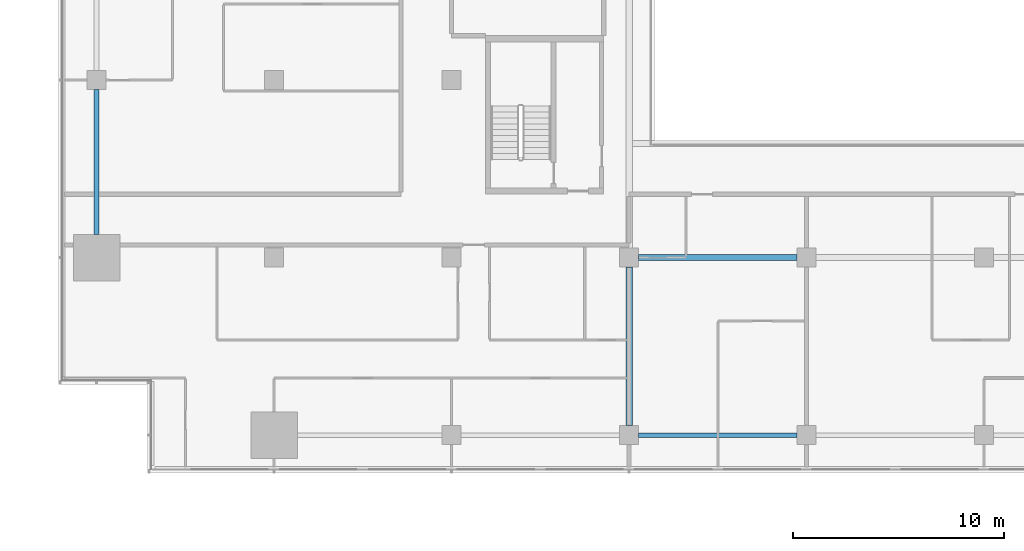
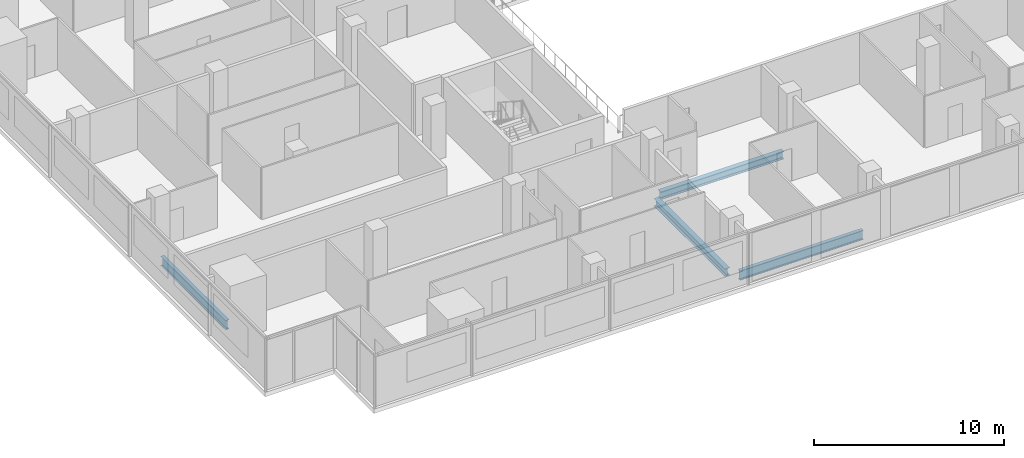
# One storey, part 3 of 30: 4 beams.
"""IFC4 building model written with IfcOpenShell, lengths in metres."""

import ifcopenshell
import ifcopenshell.guid

model = None  # the IFC model being written
_history = None  # IfcOwnerHistory: only IFC2X3 demands one
_inside = {}  # id of a spatial element -> (the spatial element, [elements in it])
_under = {}  # id of a project, library or spatial element -> (it, [spatial elements below it])
_declared = {}  # id of a project -> (the project, [libraries it declares])
_typed = {}  # id of a type object -> (the type object, [elements of that type])
_made_of = {}  # id of a material, layer set ... -> (it, [elements and type objects made of it])


def new_model(schema):
    """Start an empty IFC model of exactly this schema.

    Asked for "IFC4X3", IfcOpenShell would pick the latest addendum, in which some entities
    have other attributes; the version numbers below select the first issue.
    IFC2X3 requires an IfcOwnerHistory on every rooted entity: one is made here for all.
    """
    global model, _history
    if schema == "IFC4X3":
        model = ifcopenshell.file(schema_version=(4, 3, 0, 0))
    else:
        model = ifcopenshell.file(schema=schema)
    _inside.clear()
    _under.clear()
    _declared.clear()
    _typed.clear()
    _made_of.clear()
    _history = None
    if model.schema == "IFC2X3":
        org = make("IfcOrganization", Name="unknown")
        user = make(
            "IfcPersonAndOrganization",
            ThePerson=make("IfcPerson", FamilyName="unknown"),
            TheOrganization=org,
        )
        app = make(
            "IfcApplication",
            ApplicationDeveloper=org,
            Version="unknown",
            ApplicationFullName="unknown",
            ApplicationIdentifier="unknown",
        )
        _history = make(
            "IfcOwnerHistory",
            OwningUser=user,
            OwningApplication=app,
            ChangeAction="ADDED",
            CreationDate=0,
        )
    return model


def make(cls, **values):
    """One entity of the class cls with the attributes given. An attribute that is None is left unset."""
    return model.create_entity(
        cls, **{name: value for name, value in values.items() if value is not None}
    )


def rooted(cls, **values):
    """An entity with a GlobalId (a new one), such as an element, a storey or a relation."""
    return make(cls, GlobalId=ifcopenshell.guid.new(), OwnerHistory=_history, **values)


def si_unit(unit_type, name, prefix=None):
    """IfcSIUnit, for example si_unit("LENGTHUNIT", "METRE", prefix="MILLI")."""
    return make("IfcSIUnit", UnitType=unit_type, Prefix=prefix, Name=name)


def assignment(units):
    """IfcUnitAssignment: the units of a project."""
    return None if units is None else make("IfcUnitAssignment", Units=units)


def point(xyz):
    """IfcCartesianPoint."""
    return None if xyz is None else make("IfcCartesianPoint", Coordinates=xyz)


def direction(xyz):
    """IfcDirection."""
    return None if xyz is None else make("IfcDirection", DirectionRatios=xyz)


def frame(location, z_axis=None, x_axis=None):
    """IfcAxis2Placement3D, a coordinate frame: its origin and axes. An axis left out is left unset."""
    return make(
        "IfcAxis2Placement3D",
        Location=point(location),
        Axis=direction(z_axis),
        RefDirection=direction(x_axis),
    )


def frame_2d(location, x_axis=None):
    """IfcAxis2Placement2D, a coordinate frame in the plane: its origin and x axis."""
    return make(
        "IfcAxis2Placement2D", Location=point(location), RefDirection=direction(x_axis)
    )


def origin():
    """The frame at (0, 0, 0) with its axes left unset."""
    return frame((0.0, 0.0, 0.0))


def origin_2d():
    """The frame at (0, 0) in the plane with its x axis left unset."""
    return frame_2d((0.0, 0.0))


def place(relative_to, where):
    """IfcLocalPlacement: puts the frame where relative to a parent placement (None: the world)."""
    return make(
        "IfcLocalPlacement", PlacementRelTo=relative_to, RelativePlacement=where
    )


def context(
    kind, dimensions, precision=None, world=None, true_north=None, identifier=None
):
    """IfcGeometricRepresentationContext, for example the 3D "Model" context."""
    return make(
        "IfcGeometricRepresentationContext",
        ContextIdentifier=identifier,
        ContextType=kind,
        CoordinateSpaceDimension=dimensions,
        Precision=precision,
        WorldCoordinateSystem=world,
        TrueNorth=true_north,
    )


def subcontext(parent, identifier, kind, view, scale=None):
    """IfcGeometricRepresentationSubContext, for example "Body" below "Model"."""
    return make(
        "IfcGeometricRepresentationSubContext",
        ContextIdentifier=identifier,
        ContextType=kind,
        ParentContext=parent,
        TargetScale=scale,
        TargetView=view,
    )


def project(units=None, contexts=None):
    """IfcProject with its units and contexts."""
    return rooted(
        "IfcProject",
        Name="project",
        RepresentationContexts=contexts,
        UnitsInContext=assignment(units),
    )


def spatial(cls, under=None, at=None, **own):
    """A site, building, storey or space (cls), placed at a placement, below another one or the project."""
    s = rooted(cls, ObjectPlacement=at, **own)
    if under is not None:
        _under.setdefault(under.id(), (under, []))[1].append(s)
    return s


def profile(cls, at=None, kind="AREA", **sizes):
    """A parametric profile (cls). Its sizes go by their IFC names, for example OverallWidth=200.0."""
    return make(cls, ProfileType=kind, Position=at, **sizes)


def i_section(**sizes):
    """IfcIShapeProfileDef."""
    return profile("IfcIShapeProfileDef", **sizes)


def extrude(swept, where, along, depth):
    """IfcExtrudedAreaSolid: the profile swept, set in the frame where, extruded along a direction by depth."""
    return make(
        "IfcExtrudedAreaSolid",
        SweptArea=swept,
        Position=where,
        ExtrudedDirection=direction(along),
        Depth=depth,
    )


def shape(context_of_items, identifier, shape_type, items):
    """IfcShapeRepresentation: the items that make up one representation, for example the "Body"."""
    return make(
        "IfcShapeRepresentation",
        ContextOfItems=context_of_items,
        RepresentationIdentifier=identifier,
        RepresentationType=shape_type,
        Items=items,
    )


def material(Name=None, Category=None):
    """IfcMaterial."""
    return make("IfcMaterial", Name=Name, Category=Category)


def material_profile(
    of_material, cross_section, Name=None, Category=None, Priority=None
):
    """IfcMaterialProfile: a cross section and its material."""
    return make(
        "IfcMaterialProfile",
        Name=Name,
        Material=of_material,
        Profile=cross_section,
        Priority=Priority,
        Category=Category,
    )


def profile_set(profiles, Name=None, composite=None):
    """IfcMaterialProfileSet."""
    return make(
        "IfcMaterialProfileSet",
        Name=Name,
        MaterialProfiles=profiles,
        CompositeProfile=composite,
    )


def made_of(thing, what):
    """Note that an element or type object is made of a material, layer set ...; save() writes the relation."""
    if what is not None:
        _made_of.setdefault(what.id(), (what, []))[1].append(thing)
    return thing


def type_object(cls, material=None, **own):
    """A type object (cls), such as IfcWallType, which elements share."""
    return made_of(rooted(cls, **own), material)


def element(
    cls,
    number,
    at=None,
    inside=None,
    cuts=None,
    type_object=None,
    material=None,
    context=None,
    identifier="Body",
    shape_type=None,
    held_by="IfcProductDefinitionShape",
    body=None,
    shapes=None,
    **own,
):
    """One element of the class cls, such as IfcWall. Its Tag is "e" and its number.

    at: its placement. inside: the storey or other place that contains it. cuts: it is an
    opening in that element (IfcRelVoidsElement). A single representation is given by context,
    identifier, shape_type and body (its items); several are given by shapes. held_by: the class
    of the entity that holds the representations. save() writes the other relations.
    """
    e = rooted(cls, Tag="e%d" % number, ObjectPlacement=at, **own)
    if body is not None:
        shapes = [shape(context, identifier, shape_type, body)]
    if shapes is not None:
        e.Representation = make(held_by, Representations=shapes)
    if inside is not None:
        _inside.setdefault(inside.id(), (inside, []))[1].append(e)
    if cuts is not None:
        rooted(
            "IfcRelVoidsElement", RelatingBuildingElement=cuts, RelatedOpeningElement=e
        )
    if type_object is not None:
        _typed.setdefault(type_object.id(), (type_object, []))[1].append(e)
    return made_of(e, material)


def aggregate(whole, parts):
    """IfcRelAggregates: a whole, such as a stair, and the parts it consists of."""
    return rooted("IfcRelAggregates", RelatingObject=whole, RelatedObjects=parts)


def save(model, path):
    """Write the relations noted so far, then the file.

    IfcRelAggregates (storeys below a building ...), IfcRelContainedInSpatialStructure (elements
    in a storey), IfcRelDefinesByType, IfcRelAssociatesMaterial and IfcRelDeclares: one each for
    every whole, place, type object, material and project.
    """
    for whole, parts in _under.values():
        aggregate(whole, parts)
    for where, things in _inside.values():
        rooted(
            "IfcRelContainedInSpatialStructure",
            RelatedElements=things,
            RelatingStructure=where,
        )
    for kind, things in _typed.values():
        rooted("IfcRelDefinesByType", RelatedObjects=things, RelatingType=kind)
    for what, things in _made_of.values():
        rooted("IfcRelAssociatesMaterial", RelatedObjects=things, RelatingMaterial=what)
    for by, libraries in _declared.values():
        rooted("IfcRelDeclares", RelatingContext=by, RelatedDefinitions=libraries)
    model.write(path)


model = new_model("IFC4")

# Units and contexts
model_context = context("Model", 3, precision=1e-05, world=origin(), true_north=direction((0.0, 1.0)))
body_context = subcontext(model_context, "Body", "Model", "MODEL_VIEW")
ifc_project = project(units=[si_unit("LENGTHUNIT", "METRE"), si_unit("AREAUNIT", "SQUARE_METRE"), si_unit("VOLUMEUNIT", "CUBIC_METRE"), si_unit("PLANEANGLEUNIT", "RADIAN"), si_unit("MASSUNIT", "GRAM", prefix="KILO")], contexts=[model_context])

# Site, building, storey
site_placement = place(None, origin())
site = spatial("IfcSite", under=ifc_project, at=site_placement, CompositionType="ELEMENT")
building_placement = place(site_placement, origin())
building = spatial("IfcBuilding", under=site, at=building_placement, Name="Saffron Gate Tower", CompositionType="ELEMENT")
storey_placement = place(building_placement, frame((0.0, 0.0, 69.60009765625)))
storey = spatial("IfcBuildingStorey", under=building, at=storey_placement, Name="L16", CompositionType="ELEMENT", Elevation=69.60009765625)

# Beams
ifc_material = material(Name="Structural steel S355", Category="steel")
ifc_material_profile_1 = material_profile(ifc_material, i_section(OverallWidth=0.219970703125, OverallDepth=0.60009765625, WebThickness=0.011962890625, FlangeThickness=0.01904296875, FilletRadius=0.02392578125, at=origin_2d()))
ifc_profile_set_1 = profile_set([ifc_material_profile_1], Name="Structural steel S355")
beam_type_1 = type_object("IfcBeamType", Name="B16 IPE 600", PredefinedType="SPANDREL", material=ifc_profile_set_1)
beam_1_placement = place(storey_placement, frame((49.800048828125, 41.300048828125, -0.580078125), z_axis=(0.0, 1.0, 0.0), x_axis=(-1.0, 0.0, 0.0)))
element("IfcBeam", 1, at=beam_1_placement, inside=storey, type_object=beam_type_1, Name="B16 SPANDREL BEAM", PredefinedType="SPANDREL", context=body_context, shape_type="SweptSolid", body=[
    extrude(i_section(OverallWidth=0.219970703125, OverallDepth=0.60009765625, WebThickness=0.011962890625, FlangeThickness=0.01904296875, FilletRadius=0.02392578125, at=origin_2d()), origin(), (0.0, 0.0, 1.0), 6.849853515625),
])
beam_2_placement = place(storey_placement, frame((75.449951171875, 31.800048828125, -0.580078125), z_axis=(1.0, 0.0, 0.0), x_axis=(0.0, 1.0, 0.0)))
element("IfcBeam", 2, at=beam_2_placement, inside=storey, type_object=beam_type_1, Name="B16 SPANDREL BEAM", PredefinedType="SPANDREL", context=body_context, shape_type="SweptSolid", body=[
    extrude(i_section(OverallWidth=0.219970703125, OverallDepth=0.60009765625, WebThickness=0.011962890625, FlangeThickness=0.01904296875, FilletRadius=0.02392578125, at=origin_2d()), origin(), (0.0, 0.0, 1.0), 7.5),
])
ifc_material_profile_2 = material_profile(ifc_material, i_section(OverallWidth=0.300048828125, OverallDepth=0.489990234375, WebThickness=0.011962890625, FlangeThickness=0.02294921875, FilletRadius=0.027099609375, at=origin_2d()))
ifc_profile_set_2 = profile_set([ifc_material_profile_2], Name="Structural steel S355")
beam_type_2 = type_object("IfcBeamType", Name="B8 HEA 500", PredefinedType="BEAM", material=ifc_profile_set_2)
for number, where, z_axis, x_axis, name in (
    (3, (75.0, 32.25, -0.525146484375), (0.0, 1.0, 0.0), (-1.0, 0.0, 0.0), "B8 FLOOR GIRDER"),
    (4, (75.449951171875, 40.199951171875, -0.525146484375), (1.0, 0.0, 0.0), (0.0, 1.0, 0.0), "B8 FLOOR GIRDER"),
):
    element("IfcBeam", number, at=place(storey_placement, frame(where, z_axis=z_axis, x_axis=x_axis)), inside=storey, type_object=beam_type_2, Name=name, PredefinedType="BEAM", context=body_context, shape_type="SweptSolid", body=[
        extrude(i_section(OverallWidth=0.300048828125, OverallDepth=0.489990234375, WebThickness=0.011962890625, FlangeThickness=0.02294921875, FilletRadius=0.027099609375, at=origin_2d()), origin(), (0.0, 0.0, 1.0), 7.5),
    ])

save(model, "model.ifc")
